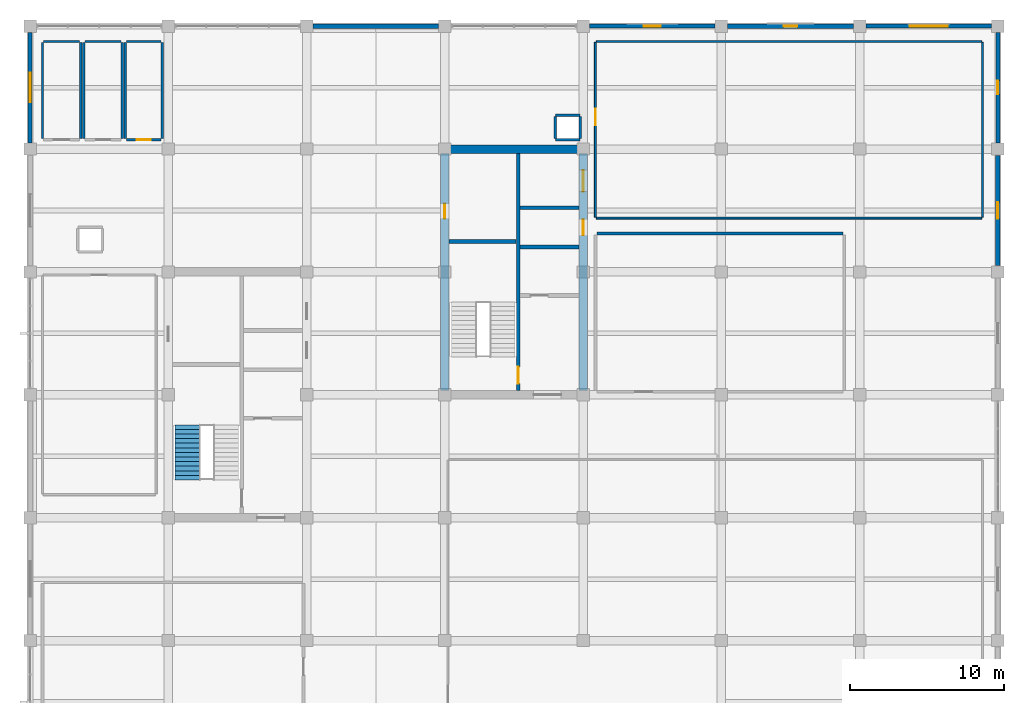
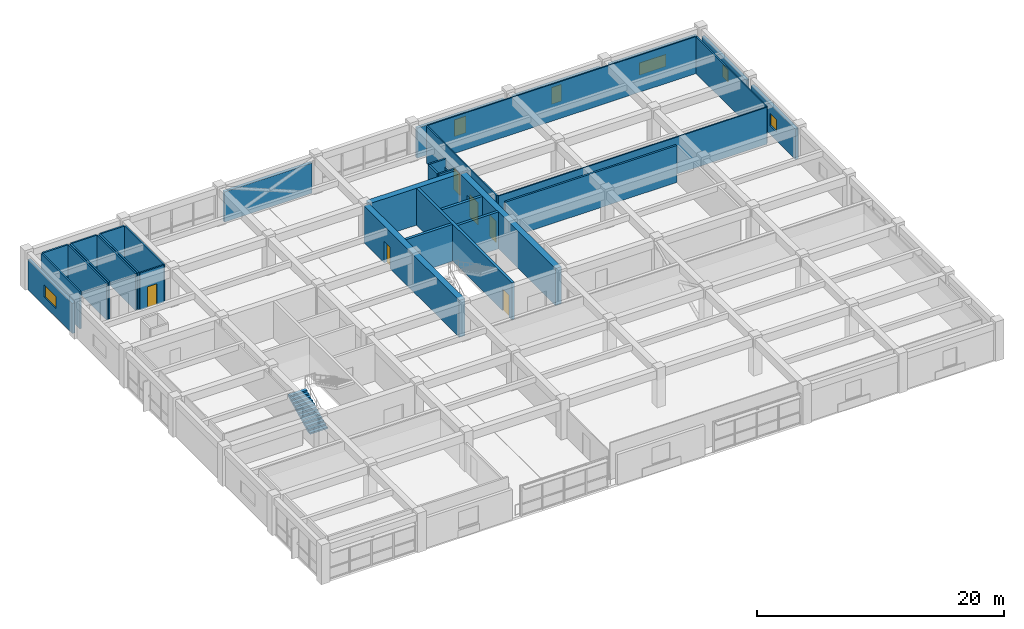
# One storey, part 14 of 16: 33 walls, 6 doors, 6 windows, 1 stair flight, 12 openings, 1 element without a shape of its own.
"""IFC4 building model written with IfcOpenShell, lengths in metres."""

from ifc_helpers import new_model, si_unit, direction, frame, frame_2d, origin, place, context, subcontext, project, spatial, polyline, rectangle, outline, extrude, material, layer, layer_set, type_object, element, fill, aggregate, save


model = new_model("IFC4")

# Units and contexts
model_context = context("Model", 3, precision=1e-05, world=origin(), true_north=direction((0.0, 1.0)))
body_context = subcontext(model_context, "Body", "Model", "MODEL_VIEW")
ifc_project = project(units=[si_unit("LENGTHUNIT", "METRE"), si_unit("AREAUNIT", "SQUARE_METRE"), si_unit("VOLUMEUNIT", "CUBIC_METRE"), si_unit("PLANEANGLEUNIT", "RADIAN"), si_unit("MASSUNIT", "GRAM", prefix="KILO")], contexts=[model_context])

# Site, building, storey
site_placement = place(None, origin())
site = spatial("IfcSite", under=ifc_project, at=site_placement, CompositionType="ELEMENT")
building_placement = place(site_placement, origin())
building = spatial("IfcBuilding", under=site, at=building_placement, Name="Zaverband Oceanarium and Marine Research Institute", CompositionType="ELEMENT")
storey_placement = place(building_placement, frame((0.0, 0.0, 37.5)))
storey = spatial("IfcBuildingStorey", under=building, at=storey_placement, Name="L09", CompositionType="ELEMENT", Elevation=37.5)

# Wall
ifc_material_1 = material(Name="Concrete C50/60", Category="concrete")
ifc_layer_1 = layer(ifc_material_1, 0.550048828125, Name="Concrete C50/60")
ifc_layer_set_1 = layer_set([ifc_layer_1], Name="Concrete C50/60")
wall_type_1 = type_object("IfcWallType", Name="CW-01", PredefinedType="SHEAR", material=ifc_layer_set_1)
wall_1_placement = place(storey_placement, frame((36.27490234375, 104.0, 0.0), z_axis=(0.0, 0.0, 1.0), x_axis=(1.0, 0.0, 0.0)))
element("IfcWall", 1, at=wall_1_placement, inside=storey, type_object=wall_type_1, Name="Structural shear wall CW-01", PredefinedType="SHEAR", context=body_context, shape_type="SweptSolid", body=[
    extrude(rectangle(XDim=8.4501953125, YDim=0.550048828125, at=frame_2d((4.22509765625, 0.0))), origin(), (0.0, 0.0, 1.0), 3.64990234375),
])

# Wall, opening, door
wall_2_placement = place(storey_placement, frame((36.0, 88.27490234375, 0.0), z_axis=(0.0, 0.0, 1.0), x_axis=(0.0, 1.0, 0.0)))
wall_2 = element("IfcWall", 2, at=wall_2_placement, inside=storey, type_object=wall_type_1, Name="Structural shear wall CW-01", PredefinedType="SHEAR", context=body_context, shape_type="SweptSolid", body=[
    extrude(rectangle(XDim=15.4501953125, YDim=0.550048828125, at=frame_2d((7.72509765625, 0.0))), origin(), (0.0, 0.0, 1.0), 3.64990234375),
])
opening_1_placement = place(wall_2_placement, frame((11.199951171875, 0.0, 0.0)))
opening_1 = element("IfcOpeningElement", 3, at=opening_1_placement, cuts=wall_2, Name="Opening FD-03", PredefinedType="OPENING", context=body_context, shape_type="SweptSolid", body=[
    extrude(rectangle(XDim=0.949951171875, YDim=2.10009765625, at=frame_2d((0.47509765625, 1.050048828125))), frame((0.0, 0.287109375, 0.0), z_axis=(0.0, -1.0, 0.0), x_axis=(1.0, 0.0, 0.0)), (0.0, 0.0, 1.0), 0.573974609375),
])
ifc_material_2 = material(Name="Steel S355", Category="steel")
door_type_1 = type_object("IfcDoorType", Name="FD-03", OperationType="NOTDEFINED", PredefinedType="DOOR", material=ifc_material_2)
door_1_placement = place(opening_1_placement, origin())
door_1 = element("IfcDoor", 4, at=door_1_placement, inside=storey, type_object=door_type_1, Name="Service riser access fire door FD-03", OperationType="SINGLE_SWING_RIGHT", OverallHeight=2.10009765625, OverallWidth=0.949951171875, PredefinedType="DOOR", context=body_context, shape_type="SweptSolid", body=[
    extrude(rectangle(XDim=0.949951171875, YDim=2.10009765625, at=frame_2d((0.47509765625, 1.050048828125))), frame((0.0, 0.02490234375, 0.0), z_axis=(0.0, -1.0, 0.0), x_axis=(1.0, 0.0, 0.0)), (0.0, 0.0, 1.0), 0.050048828125),
])
fill(opening_1, door_1)

# Wall, openings, doors
wall_3_placement = place(storey_placement, frame((45.0, 88.27490234375, 0.0), z_axis=(0.0, 0.0, 1.0), x_axis=(0.0, 1.0, 0.0)))
wall_3 = element("IfcWall", 5, at=wall_3_placement, inside=storey, type_object=wall_type_1, Name="Structural shear wall CW-01", PredefinedType="SHEAR", context=body_context, shape_type="SweptSolid", body=[
    extrude(rectangle(XDim=15.4501953125, YDim=0.550048828125, at=frame_2d((7.72509765625, 0.0))), origin(), (0.0, 0.0, 1.0), 3.64990234375),
])
opening_2_placement = place(wall_3_placement, frame((10.10009765625, 0.0, 0.0)))
opening_2 = element("IfcOpeningElement", 6, at=opening_2_placement, cuts=wall_3, Name="Opening LD-02", PredefinedType="OPENING", context=body_context, shape_type="SweptSolid", body=[
    extrude(rectangle(XDim=1.050048828125, YDim=2.1201171875, at=frame_2d((0.52490234375, 1.06005859375))), frame((0.0, 0.287109375, 0.0), z_axis=(0.0, -1.0, 0.0), x_axis=(1.0, 0.0, 0.0)), (0.0, 0.0, 1.0), 0.573974609375),
])
opening_3_placement = place(wall_3_placement, frame((12.949951171875, 0.0, 0.0)))
opening_3 = element("IfcOpeningElement", 7, at=opening_3_placement, cuts=wall_3, Name="Opening LD-03", PredefinedType="OPENING", context=body_context, shape_type="SweptSolid", body=[
    extrude(rectangle(XDim=1.39990234375, YDim=2.199951171875, at=frame_2d((0.699951171875, 1.10009765625))), frame((0.0, 0.287109375, 0.0), z_axis=(0.0, -1.0, 0.0), x_axis=(1.0, 0.0, 0.0)), (0.0, 0.0, 1.0), 0.573974609375),
])
door_type_2 = type_object("IfcDoorType", Name="LD-02", OperationType="DOUBLE_DOOR_SLIDING", PredefinedType="DOOR", material=ifc_material_2)
door_2_placement = place(opening_2_placement, origin())
door_2 = element("IfcDoor", 8, at=door_2_placement, inside=storey, type_object=door_type_2, Name="Passenger lift sliding landing door LD-02", OperationType="DOUBLE_DOOR_SLIDING", OverallHeight=2.1201171875, OverallWidth=1.050048828125, PredefinedType="DOOR", context=body_context, shape_type="SweptSolid", body=[
    extrude(rectangle(XDim=1.050048828125, YDim=2.1201171875, at=frame_2d((0.52490234375, 1.06005859375))), frame((0.0, 0.02490234375, 0.0), z_axis=(0.0, -1.0, 0.0), x_axis=(1.0, 0.0, 0.0)), (0.0, 0.0, 1.0), 0.050048828125),
])
fill(opening_2, door_2)
door_type_3 = type_object("IfcDoorType", Name="LD-03", OperationType="DOUBLE_DOOR_SLIDING", PredefinedType="DOOR", material=ifc_material_2)
door_3_placement = place(opening_3_placement, origin())
door_3 = element("IfcDoor", 9, at=door_3_placement, inside=storey, type_object=door_type_3, Name="Specimen goods lift sliding landing door LD-03", OperationType="DOUBLE_DOOR_SLIDING", OverallHeight=2.199951171875, OverallWidth=1.39990234375, PredefinedType="DOOR", context=body_context, shape_type="SweptSolid", body=[
    extrude(rectangle(XDim=1.39990234375, YDim=2.199951171875, at=frame_2d((0.699951171875, 1.10009765625))), frame((0.0, 0.02490234375, 0.0), z_axis=(0.0, -1.0, 0.0), x_axis=(1.0, 0.0, 0.0)), (0.0, 0.0, 1.0), 0.050048828125),
])
fill(opening_3, door_3)

# Wall, opening, window
ifc_material_3 = material(Name="Concrete C40/50 precast", Category="concrete")
ifc_layer_2 = layer(ifc_material_3, 0.264892578125, Name="Concrete C40/50 precast")
ifc_layer_set_2 = layer_set([ifc_layer_2], Name="Concrete C40/50 precast")
wall_type_2 = type_object("IfcWallType", Name="EW-265", PredefinedType="STANDARD", material=ifc_layer_set_2)
wall_4_placement = place(storey_placement, frame((45.405029296875, 112.0, 0.0), z_axis=(0.0, 0.0, 1.0), x_axis=(1.0, 0.0, 0.0)))
wall_4 = element("IfcWall", 10, at=wall_4_placement, inside=storey, type_object=wall_type_2, Name="Exterior infill wall EW-265", PredefinedType="STANDARD", context=body_context, shape_type="SweptSolid", body=[
    extrude(rectangle(XDim=8.18994140625, YDim=0.264892578125, at=frame_2d((4.094970703125, 0.0))), origin(), (0.0, 0.0, 1.0), 2.97998046875),
])
opening_4_placement = place(wall_4_placement, frame((3.544921875, 0.0, 0.85009765625)))
opening_4 = element("IfcOpeningElement", 11, at=opening_4_placement, cuts=wall_4, Name="Opening WN-1100x1650", PredefinedType="OPENING", context=body_context, shape_type="SweptSolid", body=[
    extrude(rectangle(XDim=1.10009765625, YDim=1.64990234375, at=frame_2d((0.550048828125, 0.824951171875))), frame((0.0, 0.14453125, 0.0), z_axis=(0.0, -1.0, 0.0), x_axis=(1.0, 0.0, 0.0)), (0.0, 0.0, 1.0), 0.288818359375),
])
ifc_material_4 = material(Name="Thermally broken anodized aluminium and solar-control glass", Category="aluminium")
window_type_1 = type_object("IfcWindowType", Name="WN-1100x1650", PartitioningType="SINGLE_PANEL", PredefinedType="WINDOW", material=ifc_material_4)
window_1_placement = place(opening_4_placement, origin())
window_1 = element("IfcWindow", 12, at=window_1_placement, inside=storey, type_object=window_type_1, Name="Fixed / casement exterior window WN-1100x1650", OverallHeight=1.64990234375, OverallWidth=1.10009765625, PartitioningType="SINGLE_PANEL", PredefinedType="WINDOW", context=body_context, shape_type="SweptSolid", body=[
    extrude(rectangle(XDim=1.10009765625, YDim=1.64990234375, at=frame_2d((0.550048828125, 0.824951171875))), frame((0.0, 0.030029296875, 0.0), z_axis=(0.0, -1.0, 0.0), x_axis=(1.0, 0.0, 0.0)), (0.0, 0.0, 1.0), 0.06005859375),
])
fill(opening_4, window_1)

wall_5_placement = place(storey_placement, frame((63.405029296875, 112.0, 0.0), z_axis=(0.0, 0.0, 1.0), x_axis=(1.0, 0.0, 0.0)))
wall_5 = element("IfcWall", 13, at=wall_5_placement, inside=storey, type_object=wall_type_2, Name="Exterior infill wall EW-265", PredefinedType="STANDARD", context=body_context, shape_type="SweptSolid", body=[
    extrude(rectangle(XDim=8.18994140625, YDim=0.264892578125, at=frame_2d((4.094970703125, 0.0))), origin(), (0.0, 0.0, 1.0), 2.97998046875),
])
opening_5_placement = place(wall_5_placement, frame((2.844970703125, 0.0, 0.85009765625)))
opening_5 = element("IfcOpeningElement", 14, at=opening_5_placement, cuts=wall_5, Name="Opening WN-2500x1200", PredefinedType="OPENING", context=body_context, shape_type="SweptSolid", body=[
    extrude(rectangle(XDim=2.5, YDim=1.199951171875, at=frame_2d((1.25, 0.60009765625))), frame((0.0, 0.14453125, 0.0), z_axis=(0.0, -1.0, 0.0), x_axis=(1.0, 0.0, 0.0)), (0.0, 0.0, 1.0), 0.288818359375),
])
window_type_2 = type_object("IfcWindowType", Name="WN-2500x1200", PartitioningType="SINGLE_PANEL", PredefinedType="WINDOW", material=ifc_material_4)
window_2_placement = place(opening_5_placement, origin())
window_2 = element("IfcWindow", 15, at=window_2_placement, inside=storey, type_object=window_type_2, Name="Fixed / casement exterior window WN-2500x1200", OverallHeight=1.199951171875, OverallWidth=2.5, PartitioningType="SINGLE_PANEL", PredefinedType="WINDOW", context=body_context, shape_type="SweptSolid", body=[
    extrude(rectangle(XDim=2.5, YDim=1.199951171875, at=frame_2d((1.25, 0.60009765625))), frame((0.0, 0.030029296875, 0.0), z_axis=(0.0, -1.0, 0.0), x_axis=(1.0, 0.0, 0.0)), (0.0, 0.0, 1.0), 0.06005859375),
])
fill(opening_5, window_2)

wall_6_placement = place(storey_placement, frame((9.0, 104.405029296875, 0.0), z_axis=(0.0, 0.0, 1.0), x_axis=(0.0, 1.0, 0.0)))
wall_6 = element("IfcWall", 16, at=wall_6_placement, inside=storey, type_object=wall_type_2, Name="Exterior infill wall EW-265", PredefinedType="STANDARD", context=body_context, shape_type="SweptSolid", body=[
    extrude(rectangle(XDim=7.18994140625, YDim=0.264892578125, at=frame_2d((3.594970703125, 0.0))), origin(), (0.0, 0.0, 1.0), 2.97998046875),
])
opening_6_placement = place(wall_6_placement, frame((2.64501953125, 0.0, 0.85009765625)))
opening_6 = element("IfcOpeningElement", 17, at=opening_6_placement, cuts=wall_6, Name="Opening WN-1900x1200", PredefinedType="OPENING", context=body_context, shape_type="SweptSolid", body=[
    extrude(rectangle(XDim=1.89990234375, YDim=1.199951171875, at=frame_2d((0.949951171875, 0.60009765625))), frame((0.0, 0.14453125, 0.0), z_axis=(0.0, -1.0, 0.0), x_axis=(1.0, 0.0, 0.0)), (0.0, 0.0, 1.0), 0.288818359375),
])
window_type_3 = type_object("IfcWindowType", Name="WN-1900x1200", PartitioningType="SINGLE_PANEL", PredefinedType="WINDOW", material=ifc_material_4)
window_3_placement = place(opening_6_placement, origin())
window_3 = element("IfcWindow", 18, at=window_3_placement, inside=storey, type_object=window_type_3, Name="Fixed / casement exterior window WN-1900x1200", OverallHeight=1.199951171875, OverallWidth=1.89990234375, PartitioningType="SINGLE_PANEL", PredefinedType="WINDOW", context=body_context, shape_type="SweptSolid", body=[
    extrude(rectangle(XDim=1.89990234375, YDim=1.199951171875, at=frame_2d((0.949951171875, 0.60009765625))), frame((0.0, 0.030029296875, 0.0), z_axis=(0.0, -1.0, 0.0), x_axis=(1.0, 0.0, 0.0)), (0.0, 0.0, 1.0), 0.06005859375),
])
fill(opening_6, window_3)

wall_7_placement = place(storey_placement, frame((72.0, 104.405029296875, 0.0), z_axis=(0.0, 0.0, 1.0), x_axis=(0.0, 1.0, 0.0)))
wall_7 = element("IfcWall", 19, at=wall_7_placement, inside=storey, type_object=wall_type_2, Name="Exterior infill wall EW-265", PredefinedType="STANDARD", context=body_context, shape_type="SweptSolid", body=[
    extrude(rectangle(XDim=7.18994140625, YDim=0.264892578125, at=frame_2d((3.594970703125, 0.0))), origin(), (0.0, 0.0, 1.0), 2.97998046875),
])
opening_7_placement = place(wall_7_placement, frame((3.14501953125, 0.0, 0.85009765625)))
opening_7 = element("IfcOpeningElement", 20, at=opening_7_placement, cuts=wall_7, Name="Opening WN-900x1200", PredefinedType="OPENING", context=body_context, shape_type="SweptSolid", body=[
    extrude(rectangle(XDim=0.89990234375, YDim=1.199951171875, at=frame_2d((0.449951171875, 0.60009765625))), frame((0.0, 0.14453125, 0.0), z_axis=(0.0, -1.0, 0.0), x_axis=(1.0, 0.0, 0.0)), (0.0, 0.0, 1.0), 0.288818359375),
])
window_type_4 = type_object("IfcWindowType", Name="WN-900x1200", PartitioningType="SINGLE_PANEL", PredefinedType="WINDOW", material=ifc_material_4)
window_4_placement = place(opening_7_placement, origin())
window_4 = element("IfcWindow", 21, at=window_4_placement, inside=storey, type_object=window_type_4, Name="Fixed / casement exterior window WN-900x1200", OverallHeight=1.199951171875, OverallWidth=0.89990234375, PartitioningType="SINGLE_PANEL", PredefinedType="WINDOW", context=body_context, shape_type="SweptSolid", body=[
    extrude(rectangle(XDim=0.89990234375, YDim=1.199951171875, at=frame_2d((0.449951171875, 0.60009765625))), frame((0.0, 0.030029296875, 0.0), z_axis=(0.0, -1.0, 0.0), x_axis=(1.0, 0.0, 0.0)), (0.0, 0.0, 1.0), 0.06005859375),
])
fill(opening_7, window_4)

# Wall
ifc_layer_3 = layer(ifc_material_3, 0.2900390625, Name="Concrete C40/50 precast")
ifc_layer_set_3 = layer_set([ifc_layer_3], Name="Concrete C40/50 precast")
wall_type_3 = type_object("IfcWallType", Name="EW-290", PredefinedType="STANDARD", material=ifc_layer_set_3)
wall_8_placement = place(storey_placement, frame((27.405029296875, 112.0, 0.0), z_axis=(0.0, 0.0, 1.0), x_axis=(1.0, 0.0, 0.0)))
element("IfcWall", 22, at=wall_8_placement, inside=storey, type_object=wall_type_3, Name="Exterior infill wall EW-290", PredefinedType="STANDARD", context=body_context, shape_type="SweptSolid", body=[
    extrude(rectangle(XDim=8.18994140625, YDim=0.2900390625, at=frame_2d((4.094970703125, 0.0))), origin(), (0.0, 0.0, 1.0), 2.97998046875),
])

# Wall, opening, window
wall_9_placement = place(storey_placement, frame((54.405029296875, 112.0, 0.0), z_axis=(0.0, 0.0, 1.0), x_axis=(1.0, 0.0, 0.0)))
wall_9 = element("IfcWall", 23, at=wall_9_placement, inside=storey, type_object=wall_type_3, Name="Exterior infill wall EW-290", PredefinedType="STANDARD", context=body_context, shape_type="SweptSolid", body=[
    extrude(rectangle(XDim=8.18994140625, YDim=0.2900390625, at=frame_2d((4.094970703125, 0.0))), origin(), (0.0, 0.0, 1.0), 2.97998046875),
])
opening_8_placement = place(wall_9_placement, frame((3.64501953125, 0.0, 0.85009765625)))
opening_8 = element("IfcOpeningElement", 24, at=opening_8_placement, cuts=wall_9, Name="Opening WN-900x1650", PredefinedType="OPENING", context=body_context, shape_type="SweptSolid", body=[
    extrude(rectangle(XDim=0.89990234375, YDim=1.64990234375, at=frame_2d((0.449951171875, 0.824951171875))), frame((0.0, 0.156982421875, 0.0), z_axis=(0.0, -1.0, 0.0), x_axis=(1.0, 0.0, 0.0)), (0.0, 0.0, 1.0), 0.31396484375),
])
window_type_5 = type_object("IfcWindowType", Name="WN-900x1650", PartitioningType="SINGLE_PANEL", PredefinedType="WINDOW", material=ifc_material_4)
window_5_placement = place(opening_8_placement, origin())
window_5 = element("IfcWindow", 25, at=window_5_placement, inside=storey, type_object=window_type_5, Name="Fixed / casement exterior window WN-900x1650", OverallHeight=1.64990234375, OverallWidth=0.89990234375, PartitioningType="SINGLE_PANEL", PredefinedType="WINDOW", context=body_context, shape_type="SweptSolid", body=[
    extrude(rectangle(XDim=0.89990234375, YDim=1.64990234375, at=frame_2d((0.449951171875, 0.824951171875))), frame((0.0, 0.030029296875, 0.0), z_axis=(0.0, -1.0, 0.0), x_axis=(1.0, 0.0, 0.0)), (0.0, 0.0, 1.0), 0.06005859375),
])
fill(opening_8, window_5)

wall_10_placement = place(storey_placement, frame((72.0, 96.405029296875, 0.0), z_axis=(0.0, 0.0, 1.0), x_axis=(0.0, 1.0, 0.0)))
wall_10 = element("IfcWall", 26, at=wall_10_placement, inside=storey, type_object=wall_type_3, Name="Exterior infill wall EW-290", PredefinedType="STANDARD", context=body_context, shape_type="SweptSolid", body=[
    extrude(rectangle(XDim=7.18994140625, YDim=0.2900390625, at=frame_2d((3.594970703125, 0.0))), origin(), (0.0, 0.0, 1.0), 2.97998046875),
])
opening_9_placement = place(wall_10_placement, frame((3.044921875, 0.0, 0.85009765625)))
opening_9 = element("IfcOpeningElement", 27, at=opening_9_placement, cuts=wall_10, Name="Opening WN-1100x1200", PredefinedType="OPENING", context=body_context, shape_type="SweptSolid", body=[
    extrude(rectangle(XDim=1.10009765625, YDim=1.199951171875, at=frame_2d((0.550048828125, 0.60009765625))), frame((0.0, 0.156982421875, 0.0), z_axis=(0.0, -1.0, 0.0), x_axis=(1.0, 0.0, 0.0)), (0.0, 0.0, 1.0), 0.31396484375),
])
window_type_6 = type_object("IfcWindowType", Name="WN-1100x1200", PartitioningType="SINGLE_PANEL", PredefinedType="WINDOW", material=ifc_material_4)
window_6_placement = place(opening_9_placement, origin())
window_6 = element("IfcWindow", 28, at=window_6_placement, inside=storey, type_object=window_type_6, Name="Fixed / casement exterior window WN-1100x1200", OverallHeight=1.199951171875, OverallWidth=1.10009765625, PartitioningType="SINGLE_PANEL", PredefinedType="WINDOW", context=body_context, shape_type="SweptSolid", body=[
    extrude(rectangle(XDim=1.10009765625, YDim=1.199951171875, at=frame_2d((0.550048828125, 0.60009765625))), frame((0.0, 0.030029296875, 0.0), z_axis=(0.0, -1.0, 0.0), x_axis=(1.0, 0.0, 0.0)), (0.0, 0.0, 1.0), 0.06005859375),
])
fill(opening_9, window_6)

# Walls
ifc_material_5 = material(Name="Insulated metal-stud office partition")
ifc_layer_4 = layer(ifc_material_5, 0.1201171875, Name="Insulated metal-stud office partition")
ifc_layer_set_4 = layer_set([ifc_layer_4], Name="Insulated metal-stud office partition")
wall_type_4 = type_object("IfcWallType", Name="PT-120-OF", PredefinedType="PARTITIONING", material=ifc_layer_set_4)
for number, where, z_axis, x_axis, name in (
    (29, (45.860107421875, 99.5, 0.0), (0.0, 0.0, 1.0), (1.0, 0.0, 0.0), "Internal partition PT-120-OF"),
    (30, (45.860107421875, 111.0, 0.0), (0.0, 0.0, 1.0), (1.0, 0.0, 0.0), "Internal partition PT-120-OF"),
):
    element("IfcWall", number, at=place(storey_placement, frame(where, z_axis=z_axis, x_axis=x_axis)), inside=storey, type_object=wall_type_4, Name=name, PredefinedType="PARTITIONING", context=body_context, shape_type="SweptSolid", body=[
        extrude(rectangle(XDim=25.079833984375, YDim=0.1201171875, at=frame_2d((12.5400390625, 0.0))), origin(), (0.0, 0.0, 1.0), 3.64990234375),
    ])

# Wall, opening, door
wall_11_placement = place(storey_placement, frame((45.800048828125, 99.56005859375, 0.0), z_axis=(0.0, 0.0, 1.0), x_axis=(0.0, 1.0, 0.0)))
wall_11 = element("IfcWall", 31, at=wall_11_placement, inside=storey, type_object=wall_type_4, Name="Internal partition PT-120-OF", PredefinedType="PARTITIONING", context=body_context, shape_type="SweptSolid", body=[
    extrude(rectangle(XDim=11.3798828125, YDim=0.1201171875, at=frame_2d((5.68994140625, 0.0))), origin(), (0.0, 0.0, 1.0), 3.64990234375),
])
opening_10_placement = place(wall_11_placement, frame((6.0, 0.0, 0.0)))
opening_10 = element("IfcOpeningElement", 32, at=opening_10_placement, cuts=wall_11, Name="Opening ID-1050x2100", PredefinedType="OPENING", context=body_context, shape_type="SweptSolid", body=[
    extrude(rectangle(XDim=1.050048828125, YDim=2.10009765625, at=frame_2d((0.52490234375, 1.050048828125))), frame((0.0, 0.072021484375, 0.0), z_axis=(0.0, -1.0, 0.0), x_axis=(1.0, 0.0, 0.0)), (0.0, 0.0, 1.0), 0.14404296875),
])
ifc_material_6 = material(Name="Hardwood-veneered acoustic timber", Category="wood")
door_type_4 = type_object("IfcDoorType", Name="ID-1050x2100", OperationType="NOTDEFINED", PredefinedType="DOOR", material=ifc_material_6)
door_4_placement = place(opening_10_placement, origin())
door_4 = element("IfcDoor", 33, at=door_4_placement, inside=storey, type_object=door_type_4, Name="Dry laboratory door ID-1050x2100", OperationType="SINGLE_SWING_RIGHT", OverallHeight=2.10009765625, OverallWidth=1.050048828125, PredefinedType="DOOR", context=body_context, shape_type="SweptSolid", body=[
    extrude(rectangle(XDim=1.050048828125, YDim=2.10009765625, at=frame_2d((0.52490234375, 1.050048828125))), frame((0.0, 0.02490234375, 0.0), z_axis=(0.0, -1.0, 0.0), x_axis=(1.0, 0.0, 0.0)), (0.0, 0.0, 1.0), 0.050048828125),
])
fill(opening_10, door_4)

# Walls
wall_12_placement = place(storey_placement, frame((71.0, 99.56005859375, 0.0), z_axis=(0.0, 0.0, 1.0), x_axis=(0.0, 1.0, 0.0)))
element("IfcWall", 34, at=wall_12_placement, inside=storey, type_object=wall_type_4, Name="Internal partition PT-120-OF", PredefinedType="PARTITIONING", context=body_context, shape_type="SweptSolid", body=[
    extrude(rectangle(XDim=11.3798828125, YDim=0.1201171875, at=frame_2d((5.68994140625, 0.0))), origin(), (0.0, 0.0, 1.0), 3.64990234375),
])
ifc_material_7 = material(Name="Ceramic-tiled wet-room blockwork", Category="masonry")
ifc_layer_5 = layer(ifc_material_7, 0.14990234375, Name="Ceramic-tiled wet-room blockwork")
ifc_layer_set_5 = layer_set([ifc_layer_5], Name="Ceramic-tiled wet-room blockwork")
wall_type_5 = type_object("IfcWallType", Name="PT-150-WC", PredefinedType="PARTITIONING", material=ifc_layer_set_5)
wall_13_placement = place(storey_placement, frame((9.875, 111.0, 0.0), z_axis=(0.0, 0.0, 1.0), x_axis=(1.0, 0.0, 0.0)))
element("IfcWall", 35, at=wall_13_placement, inside=storey, type_object=wall_type_5, Name="Internal partition PT-150-WC", PredefinedType="PARTITIONING", context=body_context, shape_type="SweptSolid", body=[
    extrude(rectangle(XDim=2.35009765625, YDim=0.14990234375, at=frame_2d((1.175048828125, 0.0))), origin(), (0.0, 0.0, 1.0), 3.64990234375),
])
for number, where, z_axis, x_axis, name in (
    (36, (9.800048828125, 104.675048828125, 0.0), (0.0, 0.0, 1.0), (0.0, 1.0, 0.0), "Internal partition PT-150-WC"),
    (37, (12.300048828125, 104.675048828125, 0.0), (0.0, 0.0, 1.0), (0.0, 1.0, 0.0), "Internal partition PT-150-WC"),
):
    element("IfcWall", number, at=place(storey_placement, frame(where, z_axis=z_axis, x_axis=x_axis)), inside=storey, type_object=wall_type_5, Name=name, PredefinedType="PARTITIONING", context=body_context, shape_type="SweptSolid", body=[
        extrude(rectangle(XDim=6.25, YDim=0.14990234375, at=frame_2d((3.125, 0.0))), origin(), (0.0, 0.0, 1.0), 3.64990234375),
    ])
wall_14_placement = place(storey_placement, frame((12.574951171875, 111.0, 0.0), z_axis=(0.0, 0.0, 1.0), x_axis=(1.0, 0.0, 0.0)))
element("IfcWall", 38, at=wall_14_placement, inside=storey, type_object=wall_type_5, Name="Internal partition PT-150-WC", PredefinedType="PARTITIONING", context=body_context, shape_type="SweptSolid", body=[
    extrude(rectangle(XDim=2.35009765625, YDim=0.14990234375, at=frame_2d((1.175048828125, 0.0))), origin(), (0.0, 0.0, 1.0), 3.64990234375),
])
for number, where, z_axis, x_axis, name in (
    (39, (12.5, 104.675048828125, 0.0), (0.0, 0.0, 1.0), (0.0, 1.0, 0.0), "Internal partition PT-150-WC"),
    (40, (15.0, 104.675048828125, 0.0), (0.0, 0.0, 1.0), (0.0, 1.0, 0.0), "Internal partition PT-150-WC"),
):
    element("IfcWall", number, at=place(storey_placement, frame(where, z_axis=z_axis, x_axis=x_axis)), inside=storey, type_object=wall_type_5, Name=name, PredefinedType="PARTITIONING", context=body_context, shape_type="SweptSolid", body=[
        extrude(rectangle(XDim=6.25, YDim=0.14990234375, at=frame_2d((3.125, 0.0))), origin(), (0.0, 0.0, 1.0), 3.64990234375),
    ])

# Wall, opening, door
wall_15_placement = place(storey_placement, frame((15.27490234375, 104.60009765625, 0.0), z_axis=(0.0, 0.0, 1.0), x_axis=(1.0, 0.0, 0.0)))
wall_15 = element("IfcWall", 41, at=wall_15_placement, inside=storey, type_object=wall_type_5, Name="Internal partition PT-150-WC", PredefinedType="PARTITIONING", context=body_context, shape_type="SweptSolid", body=[
    extrude(rectangle(XDim=2.25, YDim=0.14990234375, at=frame_2d((1.125, 0.0))), origin(), (0.0, 0.0, 1.0), 3.64990234375),
])
opening_11_placement = place(wall_15_placement, frame((0.679931640625, 0.0, 0.0)))
opening_11 = element("IfcOpeningElement", 42, at=opening_11_placement, cuts=wall_15, Name="Opening ID-890x2060", PredefinedType="OPENING", context=body_context, shape_type="SweptSolid", body=[
    extrude(rectangle(XDim=0.889892578125, YDim=2.06005859375, at=frame_2d((0.44482421875, 1.030029296875))), frame((0.0, 0.0869140625, 0.0), z_axis=(0.0, -1.0, 0.0), x_axis=(1.0, 0.0, 0.0)), (0.0, 0.0, 1.0), 0.173828125),
])
door_type_5 = type_object("IfcDoorType", Name="ID-890x2060", OperationType="NOTDEFINED", PredefinedType="DOOR", material=ifc_material_6)
door_5_placement = place(opening_11_placement, origin())
door_5 = element("IfcDoor", 43, at=door_5_placement, inside=storey, type_object=door_type_5, Name="Staff WC door ID-890x2060", OperationType="SINGLE_SWING_LEFT", OverallHeight=2.06005859375, OverallWidth=0.889892578125, PredefinedType="DOOR", context=body_context, shape_type="SweptSolid", body=[
    extrude(rectangle(XDim=0.889892578125, YDim=2.06005859375, at=frame_2d((0.44482421875, 1.030029296875))), frame((0.0, 0.02490234375, 0.0), z_axis=(0.0, -1.0, 0.0), x_axis=(1.0, 0.0, 0.0)), (0.0, 0.0, 1.0), 0.050048828125),
])
fill(opening_11, door_5)

# Walls
wall_16_placement = place(storey_placement, frame((15.27490234375, 111.0, 0.0), z_axis=(0.0, 0.0, 1.0), x_axis=(1.0, 0.0, 0.0)))
element("IfcWall", 44, at=wall_16_placement, inside=storey, type_object=wall_type_5, Name="Internal partition PT-150-WC", PredefinedType="PARTITIONING", context=body_context, shape_type="SweptSolid", body=[
    extrude(rectangle(XDim=2.25, YDim=0.14990234375, at=frame_2d((1.125, 0.0))), origin(), (0.0, 0.0, 1.0), 3.64990234375),
])
for number, where, z_axis, x_axis, name in (
    (45, (15.199951171875, 104.675048828125, 0.0), (0.0, 0.0, 1.0), (0.0, 1.0, 0.0), "Internal partition PT-150-WC"),
    (46, (17.60009765625, 104.675048828125, 0.0), (0.0, 0.0, 1.0), (0.0, 1.0, 0.0), "Internal partition PT-150-WC"),
):
    element("IfcWall", number, at=place(storey_placement, frame(where, z_axis=z_axis, x_axis=x_axis)), inside=storey, type_object=wall_type_5, Name=name, PredefinedType="PARTITIONING", context=body_context, shape_type="SweptSolid", body=[
        extrude(rectangle(XDim=6.25, YDim=0.14990234375, at=frame_2d((3.125, 0.0))), origin(), (0.0, 0.0, 1.0), 3.64990234375),
    ])
ifc_material_8 = material(Name="Corridor rated drywall partition")
ifc_layer_6 = layer(ifc_material_8, 0.1650390625, Name="Corridor rated drywall partition")
ifc_layer_set_6 = layer_set([ifc_layer_6], Name="Corridor rated drywall partition")
wall_type_6 = type_object("IfcWallType", Name="PT-165-CR", PredefinedType="PARTITIONING", material=ifc_layer_set_6)
for number, where, z_axis, x_axis, name in (
    (47, (43.199951171875, 104.60009765625, 0.0), (0.0, 0.0, 1.0), (1.0, 0.0, 0.0), "Internal partition PT-165-CR"),
    (48, (43.199951171875, 106.199951171875, 0.0), (0.0, 0.0, 1.0), (1.0, 0.0, 0.0), "Internal partition PT-165-CR"),
):
    element("IfcWall", number, at=place(storey_placement, frame(where, z_axis=z_axis, x_axis=x_axis)), inside=storey, type_object=wall_type_6, Name=name, PredefinedType="PARTITIONING", context=body_context, shape_type="SweptSolid", body=[
        extrude(rectangle(XDim=1.60009765625, YDim=0.1650390625, at=frame_2d((0.800048828125, 0.0))), origin(), (0.0, 0.0, 1.0), 3.64990234375),
    ])
wall_17_placement = place(storey_placement, frame((43.199951171875, 104.679931640625, 0.0), z_axis=(0.0, 0.0, 1.0), x_axis=(0.0, 1.0, 0.0)))
element("IfcWall", 49, at=wall_17_placement, inside=storey, type_object=wall_type_6, Name="Internal partition PT-165-CR", PredefinedType="PARTITIONING", context=body_context, shape_type="SweptSolid", body=[
    extrude(rectangle(XDim=1.440185546875, YDim=0.1650390625, at=frame_2d((0.72021484375, 0.0))), origin(), (0.0, 0.0, 1.0), 3.64990234375),
])
wall_18_placement = place(storey_placement, frame((44.800048828125, 104.679931640625, 0.0), z_axis=(0.0, 0.0, 1.0), x_axis=(0.0, 1.0, 0.0)))
element("IfcWall", 50, at=wall_18_placement, inside=storey, type_object=wall_type_6, Name="Internal partition PT-165-CR", PredefinedType="PARTITIONING", context=body_context, shape_type="SweptSolid", body=[
    extrude(rectangle(XDim=1.440185546875, YDim=0.1650390625, at=frame_2d((0.72021484375, 0.0))), origin(), (0.0, 0.0, 1.0), 2.85009765625),
])
ifc_material_9 = material(Name="Moisture-resistant laboratory blockwork", Category="masonry")
ifc_layer_7 = layer(ifc_material_9, 0.179931640625, Name="Moisture-resistant laboratory blockwork")
ifc_layer_set_7 = layer_set([ifc_layer_7], Name="Moisture-resistant laboratory blockwork")
wall_type_7 = type_object("IfcWallType", Name="PT-180-LB", PredefinedType="PARTITIONING", material=ifc_layer_set_7)
wall_19_placement = place(storey_placement, frame((45.889892578125, 98.5, 0.0), z_axis=(0.0, 0.0, 1.0), x_axis=(1.0, 0.0, 0.0)))
element("IfcWall", 51, at=wall_19_placement, inside=storey, type_object=wall_type_7, Name="Internal partition PT-180-LB", PredefinedType="PARTITIONING", context=body_context, shape_type="SweptSolid", body=[
    extrude(rectangle(XDim=16.02001953125, YDim=0.179931640625, at=frame_2d((8.010009765625, 0.0))), origin(), (0.0, 0.0, 1.0), 3.64990234375),
])

# Wall, opening, door
ifc_layer_8 = layer(ifc_material_1, 0.25, Name="Concrete C50/60")
ifc_layer_set_8 = layer_set([ifc_layer_8], Name="Concrete C50/60")
wall_type_8 = type_object("IfcWallType", Name="PW-CORE-250", PredefinedType="SOLIDWALL", material=ifc_layer_set_8)
wall_20_placement = place(storey_placement, frame((40.77490234375, 88.27490234375, 0.0), z_axis=(0.0, 0.0, 1.0), x_axis=(0.0, 1.0, 0.0)))
wall_20 = element("IfcWall", 52, at=wall_20_placement, inside=storey, type_object=wall_type_8, Name="Structural concrete wall PW-CORE-250", PredefinedType="SOLIDWALL", context=body_context, shape_type="SweptSolid", body=[
    extrude(rectangle(XDim=15.4501953125, YDim=0.25, at=frame_2d((7.72509765625, 0.0))), origin(), (0.0, 0.0, 1.0), 3.64990234375),
])
opening_12_placement = place(wall_20_placement, frame((0.449951171875, 0.0, 0.0)))
opening_12 = element("IfcOpeningElement", 53, at=opening_12_placement, cuts=wall_20, Name="Opening FD-01", PredefinedType="OPENING", context=body_context, shape_type="SweptSolid", body=[
    extrude(rectangle(XDim=1.10009765625, YDim=2.14990234375, at=frame_2d((0.550048828125, 1.074951171875))), frame((0.0, 0.136962890625, 0.0), z_axis=(0.0, -1.0, 0.0), x_axis=(1.0, 0.0, 0.0)), (0.0, 0.0, 1.0), 0.27392578125),
])
door_type_6 = type_object("IfcDoorType", Name="FD-01", OperationType="NOTDEFINED", PredefinedType="DOOR", material=ifc_material_2)
door_6_placement = place(opening_12_placement, origin())
door_6 = element("IfcDoor", 54, at=door_6_placement, inside=storey, type_object=door_type_6, Name="Core stair / lobby fire door FD-01", OperationType="SINGLE_SWING_RIGHT", OverallHeight=2.14990234375, OverallWidth=1.10009765625, PredefinedType="DOOR", context=body_context, shape_type="SweptSolid", body=[
    extrude(rectangle(XDim=1.10009765625, YDim=2.14990234375, at=frame_2d((0.550048828125, 1.074951171875))), frame((0.0, 0.02490234375, 0.0), z_axis=(0.0, -1.0, 0.0), x_axis=(1.0, 0.0, 0.0)), (0.0, 0.0, 1.0), 0.050048828125),
])
fill(opening_12, door_6)

# Walls
wall_21_placement = place(storey_placement, frame((36.27490234375, 97.97509765625, 0.0), z_axis=(0.0, 0.0, 1.0), x_axis=(1.0, 0.0, 0.0)))
element("IfcWall", 55, at=wall_21_placement, inside=storey, type_object=wall_type_8, Name="Structural concrete wall PW-CORE-250", PredefinedType="SOLIDWALL", context=body_context, shape_type="SweptSolid", body=[
    extrude(rectangle(XDim=4.3701171875, YDim=0.25, at=frame_2d((2.18505859375, 0.0))), origin(), (0.0, 0.0, 1.0), 3.64990234375),
])
for number, where, z_axis, x_axis, name in (
    (56, (40.905029296875, 97.6298828125, 0.0), (0.0, 0.0, 1.0), (1.0, 0.0, 0.0), "Structural concrete wall PW-CORE-250"),
    (57, (40.905029296875, 100.179931640625, 0.0), (0.0, 0.0, 1.0), (1.0, 0.0, 0.0), "Structural concrete wall PW-CORE-250"),
):
    element("IfcWall", number, at=place(storey_placement, frame(where, z_axis=z_axis, x_axis=x_axis)), inside=storey, type_object=wall_type_8, Name=name, PredefinedType="SOLIDWALL", context=body_context, shape_type="SweptSolid", body=[
        extrude(rectangle(XDim=3.820068359375, YDim=0.25, at=frame_2d((1.91015625, 0.0))), origin(), (0.0, 0.0, 1.0), 3.64990234375),
    ])

# Stair, stair flight
ifc_material_10 = material(Name="Concrete C40/50", Category="concrete")
stair_type = type_object("IfcStairType", Name="STR-TWR-1650-3900", PredefinedType="HALF_TURN_STAIR", material=ifc_material_10)
stair_placement = place(storey_placement, origin())
stair = element("IfcStair", 58, at=stair_placement, inside=storey, type_object=stair_type, Name="Exit Stair ST-01 (L09)", PredefinedType="HALF_TURN_STAIR")
stair_flight_type = type_object("IfcStairFlightType", Name="STR-TWR-1650-3900-FL", PredefinedType="STRAIGHT", material=ifc_material_10)
stair_flight_placement = place(storey_placement, frame((19.2548828125, 82.449951171875, 0.0), z_axis=(0.0, 0.0, 1.0), x_axis=(0.0, 1.0, 0.0)))
stair_flight = element("IfcStairFlight", 59, at=stair_flight_placement, type_object=stair_flight_type, Name="Reinforced concrete stair flight ST-01-F1", NumberOfRisers=13, NumberOfTreads=12, PredefinedType="STRAIGHT", RiserHeight=0.15, TreadLength=0.3, context=body_context, shape_type="SweptSolid", body=[
    extrude(outline(polyline([(0.0, 0.0), (0.0, 0.14990234375), (0.300048828125, 0.14990234375), (0.300048828125, 0.300048828125), (0.60009765625, 0.300048828125), (0.60009765625, 0.449951171875), (0.89990234375, 0.449951171875), (0.89990234375, 0.60009765625), (1.199951171875, 0.60009765625), (1.199951171875, 0.75), (1.5, 0.75), (1.5, 0.89990234375), (1.800048828125, 0.89990234375), (1.800048828125, 1.050048828125), (2.10009765625, 1.050048828125), (2.10009765625, 1.199951171875), (2.39990234375, 1.199951171875), (2.39990234375, 1.35009765625), (2.699951171875, 1.35009765625), (2.699951171875, 1.5), (3.0, 1.5), (3.0, 1.64990234375), (3.300048828125, 1.64990234375), (3.300048828125, 1.800048828125), (3.60009765625, 1.800048828125), (3.60009765625, 1.949951171875), (3.60009765625, 1.598876953125), (0.40234375, 0.0), (0.0, 0.0)])), frame((0.0, 0.824951171875, 0.0), z_axis=(0.0, -1.0, 0.0), x_axis=(1.0, 0.0, 0.0)), (0.0, 0.0, 1.0), 1.64990234375),
])
aggregate(stair, [stair_flight])

save(model, "model.ifc")
